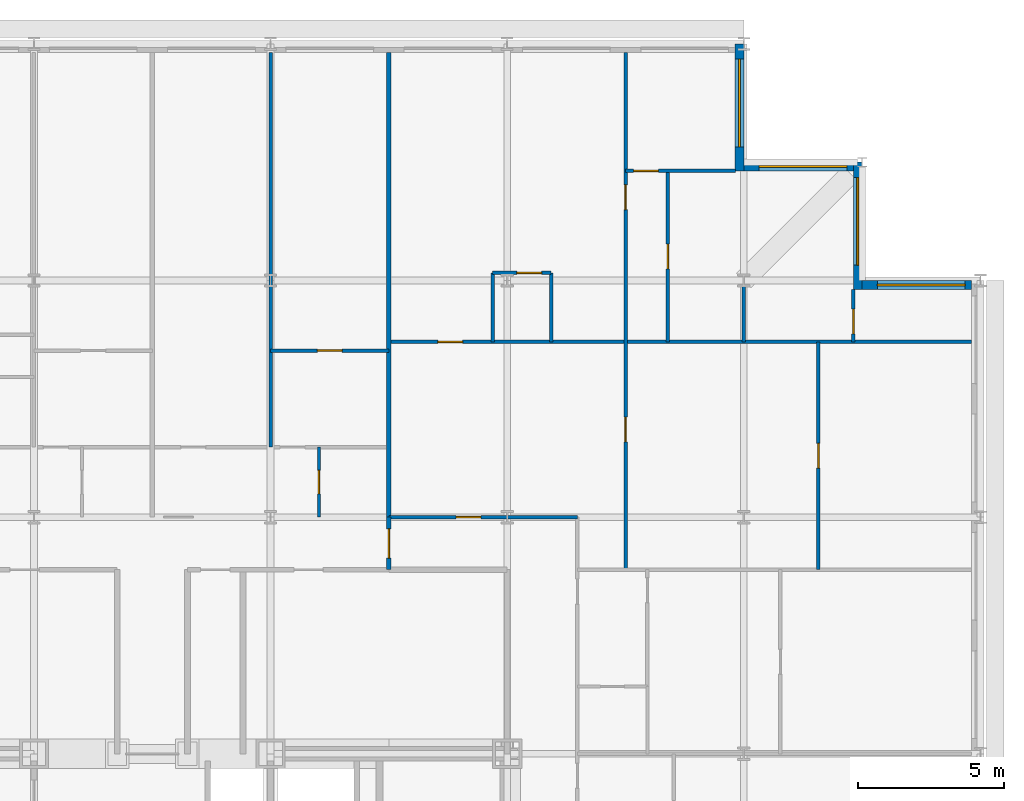
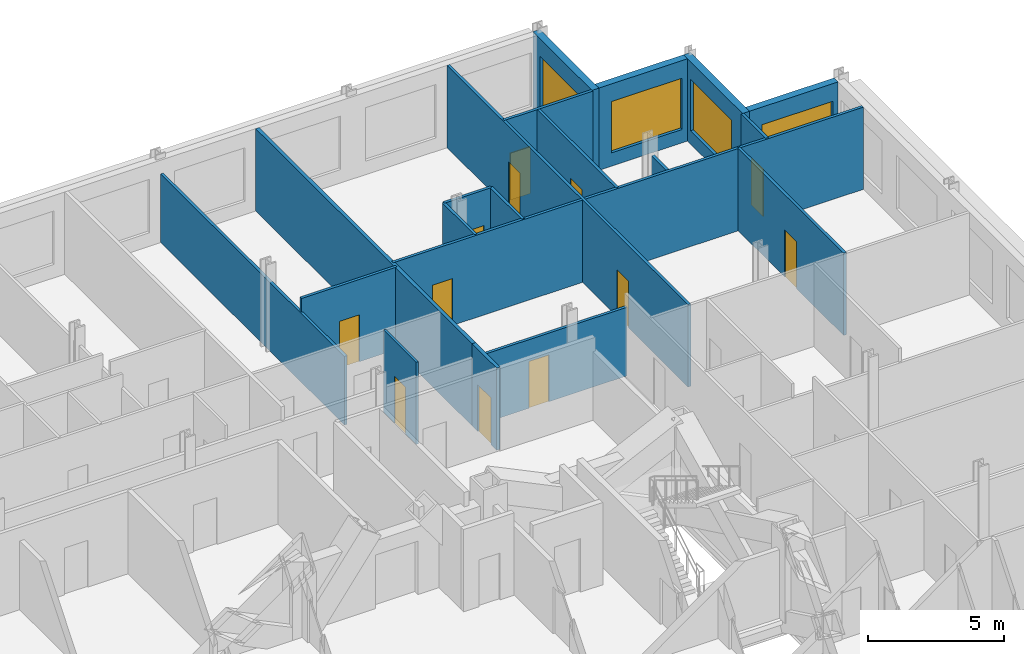
# One storey, part 14 of 16: 20 walls, 12 doors, 4 windows, 16 openings.
"""IFC4 building model written with IfcOpenShell, lengths in metres."""

from ifc_helpers import new_model, si_unit, direction, frame, frame_2d, origin, place, context, subcontext, project, spatial, rectangle, extrude, material, layer, layer_set, type_object, element, fill, save


model = new_model("IFC4")

# Units and contexts
model_context = context("Model", 3, precision=1e-05, world=origin(), true_north=direction((0.0, 1.0)))
body_context = subcontext(model_context, "Body", "Model", "MODEL_VIEW")
ifc_project = project(units=[si_unit("LENGTHUNIT", "METRE"), si_unit("AREAUNIT", "SQUARE_METRE"), si_unit("VOLUMEUNIT", "CUBIC_METRE"), si_unit("PLANEANGLEUNIT", "RADIAN"), si_unit("MASSUNIT", "GRAM", prefix="KILO")], contexts=[model_context])

# Site, building, storey
site_placement = place(None, origin())
site = spatial("IfcSite", under=ifc_project, at=site_placement, CompositionType="ELEMENT")
building_placement = place(site_placement, origin())
building = spatial("IfcBuilding", under=site, at=building_placement, Name="Kopane Lantern Tower", CompositionType="ELEMENT")
storey_placement = place(building_placement, frame((0.0, 0.0, 265.800048828125)))
storey = spatial("IfcBuildingStorey", under=building, at=storey_placement, Name="L68", CompositionType="ELEMENT", Elevation=265.800048828125)

# Wall
ifc_material_1 = material(Name="Gypsum board on steel studs", Category="steel")
ifc_layer_1 = layer(ifc_material_1, 0.1201171875)
ifc_layer_set_1 = layer_set([ifc_layer_1], Name="APARTMENT INTERNAL WALL 120")
wall_type_1 = type_object("IfcWallType", Name="APARTMENT INTERNAL WALL 120", PredefinedType="PARTITIONING", material=ifc_layer_set_1)
wall_1_placement = place(storey_placement, frame((32.39990234375, 51.0, 0.0), z_axis=(0.0, 0.0, 1.0), x_axis=(0.0, 1.0, 0.0)))
element("IfcWall", 1, at=wall_1_placement, inside=storey, type_object=wall_type_1, Name="Apartment Internal Wall 120 L68", PredefinedType="PARTITIONING", context=body_context, shape_type="SweptSolid", body=[
    extrude(rectangle(XDim=13.5, YDim=0.1201171875, at=frame_2d((6.75, 0.0))), origin(), (0.0, 0.0, 1.0), 3.07763671875),
])

# Wall, opening, door
wall_2_placement = place(storey_placement, frame((36.449951171875, 48.60009765625, 0.0), z_axis=(0.0, 0.0, 1.0), x_axis=(1.0, 0.0, 0.0)))
wall_2 = element("IfcWall", 2, at=wall_2_placement, inside=storey, type_object=wall_type_1, Name="Apartment Internal Wall 120 L68", PredefinedType="PARTITIONING", context=body_context, shape_type="SweptSolid", body=[
    extrude(rectangle(XDim=6.449951171875, YDim=0.1201171875, at=frame_2d((3.22509765625, 0.0))), origin(), (0.0, 0.0, 1.0), 3.07763671875),
])
opening_1_placement = place(wall_2_placement, frame((2.300048828125, 0.0, 0.0)))
opening_1 = element("IfcOpeningElement", 3, at=opening_1_placement, cuts=wall_2, Name="Opening L68-057", PredefinedType="OPENING", context=body_context, shape_type="SweptSolid", body=[
    extrude(rectangle(XDim=0.85009765625, YDim=2.10009765625, at=frame_2d((0.425048828125, 1.050048828125))), frame((0.0, 0.070068359375, 0.0), z_axis=(0.0, -1.0, 0.0), x_axis=(1.0, 0.0, 0.0)), (0.0, 0.0, 1.0), 0.14013671875),
])
ifc_material_2 = material(Name="Timber door set", Category="wood")
door_type_1 = type_object("IfcDoorType", Name="DOOR D4 850x2100", OperationType="SINGLE_SWING_LEFT", PredefinedType="DOOR", material=ifc_material_2)
door_1_placement = place(opening_1_placement, origin())
door_1 = element("IfcDoor", 4, at=door_1_placement, inside=storey, type_object=door_type_1, Name="Door L68-057", OperationType="SINGLE_SWING_LEFT", OverallHeight=2.10009765625, OverallWidth=0.85009765625, PredefinedType="DOOR", context=body_context, shape_type="SweptSolid", body=[
    extrude(rectangle(XDim=0.85009765625, YDim=2.10009765625, at=frame_2d((0.425048828125, 1.050048828125))), frame((0.0, 0.02490234375, 0.0), z_axis=(0.0, -1.0, 0.0), x_axis=(1.0, 0.0, 0.0)), (0.0, 0.0, 1.0), 0.050048828125),
])
fill(opening_1, door_1)

wall_3_placement = place(storey_placement, frame((36.449951171875, 54.60009765625, 0.0), z_axis=(0.0, 0.0, 1.0), x_axis=(1.0, 0.0, 0.0)))
wall_3 = element("IfcWall", 5, at=wall_3_placement, inside=storey, type_object=wall_type_1, Name="Apartment Internal Wall 120 L68", PredefinedType="PARTITIONING", context=body_context, shape_type="SweptSolid", body=[
    extrude(rectangle(XDim=19.949951171875, YDim=0.1201171875, at=frame_2d((9.97509765625, 0.0))), origin(), (0.0, 0.0, 1.0), 3.68994140625),
])
opening_2_placement = place(wall_3_placement, frame((1.675048828125, 0.0, 0.0)))
opening_2 = element("IfcOpeningElement", 6, at=opening_2_placement, cuts=wall_3, Name="Opening L68-058", PredefinedType="OPENING", context=body_context, shape_type="SweptSolid", body=[
    extrude(rectangle(XDim=0.85009765625, YDim=2.10009765625, at=frame_2d((0.425048828125, 1.050048828125))), frame((0.0, 0.070068359375, 0.0), z_axis=(0.0, -1.0, 0.0), x_axis=(1.0, 0.0, 0.0)), (0.0, 0.0, 1.0), 0.14013671875),
])
door_2_placement = place(opening_2_placement, origin())
door_2 = element("IfcDoor", 7, at=door_2_placement, inside=storey, type_object=door_type_1, Name="Door L68-058", OperationType="SINGLE_SWING_LEFT", OverallHeight=2.10009765625, OverallWidth=0.85009765625, PredefinedType="DOOR", context=body_context, shape_type="SweptSolid", body=[
    extrude(rectangle(XDim=0.85009765625, YDim=2.10009765625, at=frame_2d((0.425048828125, 1.050048828125))), frame((0.0, 0.02490234375, 0.0), z_axis=(0.0, -1.0, 0.0), x_axis=(1.0, 0.0, 0.0)), (0.0, 0.0, 1.0), 0.050048828125),
])
fill(opening_2, door_2)

# Wall, openings, doors
wall_4_placement = place(storey_placement, frame((44.550048828125, 64.5, 0.0), z_axis=(0.0, 0.0, 1.0), x_axis=(0.0, -1.0, 0.0)))
wall_4 = element("IfcWall", 8, at=wall_4_placement, inside=storey, type_object=wall_type_1, Name="Apartment Internal Wall 120 L68", PredefinedType="PARTITIONING", context=body_context, shape_type="SweptSolid", body=[
    extrude(rectangle(XDim=17.699951171875, YDim=0.1201171875, at=frame_2d((8.85009765625, 0.0))), origin(), (0.0, 0.0, 1.0), 3.68994140625),
])
opening_3_placement = place(wall_4_placement, frame((12.47509765625, 0.0, 0.0)))
opening_3 = element("IfcOpeningElement", 9, at=opening_3_placement, cuts=wall_4, Name="Opening L68-059", PredefinedType="OPENING", context=body_context, shape_type="SweptSolid", body=[
    extrude(rectangle(XDim=0.85009765625, YDim=2.10009765625, at=frame_2d((0.425048828125, 1.050048828125))), frame((0.0, 0.070068359375, 0.0), z_axis=(0.0, -1.0, 0.0), x_axis=(1.0, 0.0, 0.0)), (0.0, 0.0, 1.0), 0.14013671875),
])
opening_4_placement = place(wall_4_placement, frame((4.52490234375, 0.0, 0.0)))
opening_4 = element("IfcOpeningElement", 10, at=opening_4_placement, cuts=wall_4, Name="Opening L68-060", PredefinedType="OPENING", context=body_context, shape_type="SweptSolid", body=[
    extrude(rectangle(XDim=0.85009765625, YDim=2.10009765625, at=frame_2d((0.425048828125, 1.050048828125))), frame((0.0, 0.070068359375, 0.0), z_axis=(0.0, -1.0, 0.0), x_axis=(1.0, 0.0, 0.0)), (0.0, 0.0, 1.0), 0.14013671875),
])
door_3_placement = place(opening_3_placement, origin())
door_3 = element("IfcDoor", 11, at=door_3_placement, inside=storey, type_object=door_type_1, Name="Door L68-059", OperationType="SINGLE_SWING_LEFT", OverallHeight=2.10009765625, OverallWidth=0.85009765625, PredefinedType="DOOR", context=body_context, shape_type="SweptSolid", body=[
    extrude(rectangle(XDim=0.85009765625, YDim=2.10009765625, at=frame_2d((0.425048828125, 1.050048828125))), frame((0.0, 0.02490234375, 0.0), z_axis=(0.0, -1.0, 0.0), x_axis=(1.0, 0.0, 0.0)), (0.0, 0.0, 1.0), 0.050048828125),
])
fill(opening_3, door_3)
door_4_placement = place(opening_4_placement, origin())
door_4 = element("IfcDoor", 12, at=door_4_placement, inside=storey, type_object=door_type_1, Name="Door L68-060", OperationType="SINGLE_SWING_LEFT", OverallHeight=2.10009765625, OverallWidth=0.85009765625, PredefinedType="DOOR", context=body_context, shape_type="SweptSolid", body=[
    extrude(rectangle(XDim=0.85009765625, YDim=2.10009765625, at=frame_2d((0.425048828125, 1.050048828125))), frame((0.0, 0.02490234375, 0.0), z_axis=(0.0, -1.0, 0.0), x_axis=(1.0, 0.0, 0.0)), (0.0, 0.0, 1.0), 0.050048828125),
])
fill(opening_4, door_4)

# Wall, opening, door
wall_5_placement = place(storey_placement, frame((52.35009765625, 54.60009765625, 0.0), z_axis=(0.0, 0.0, 1.0), x_axis=(0.0, 1.0, 0.0)))
wall_5 = element("IfcWall", 13, at=wall_5_placement, inside=storey, type_object=wall_type_1, Name="Apartment Internal Wall 120 L68", PredefinedType="PARTITIONING", context=body_context, shape_type="SweptSolid", body=[
    extrude(rectangle(XDim=1.7998046875, YDim=0.1201171875, at=frame_2d((0.89990234375, 0.0))), origin(), (0.0, 0.0, 1.0), 3.68994140625),
])
opening_5_placement = place(wall_5_placement, frame((0.27490234375, 0.0, 0.0)))
opening_5 = element("IfcOpeningElement", 14, at=opening_5_placement, cuts=wall_5, Name="Opening L68-068", PredefinedType="OPENING", context=body_context, shape_type="SweptSolid", body=[
    extrude(rectangle(XDim=0.85009765625, YDim=2.10009765625, at=frame_2d((0.425048828125, 1.050048828125))), frame((0.0, 0.070068359375, 0.0), z_axis=(0.0, -1.0, 0.0), x_axis=(1.0, 0.0, 0.0)), (0.0, 0.0, 1.0), 0.14013671875),
])
door_5_placement = place(opening_5_placement, origin())
door_5 = element("IfcDoor", 15, at=door_5_placement, inside=storey, type_object=door_type_1, Name="Door L68-068", OperationType="SINGLE_SWING_RIGHT", OverallHeight=2.10009765625, OverallWidth=0.85009765625, PredefinedType="DOOR", context=body_context, shape_type="SweptSolid", body=[
    extrude(rectangle(XDim=0.85009765625, YDim=2.10009765625, at=frame_2d((0.425048828125, 1.050048828125))), frame((0.0, 0.02490234375, 0.0), z_axis=(0.0, -1.0, 0.0), x_axis=(1.0, 0.0, 0.0)), (0.0, 0.0, 1.0), 0.050048828125),
])
fill(opening_5, door_5)

wall_6_placement = place(storey_placement, frame((48.31005859375, 60.449951171875, 0.0), z_axis=(0.0, 0.0, 1.0), x_axis=(-1.0, 0.0, 0.0)))
wall_6 = element("IfcWall", 16, at=wall_6_placement, inside=storey, type_object=wall_type_1, Name="Apartment Internal Wall 120 L68", PredefinedType="PARTITIONING", context=body_context, shape_type="SweptSolid", body=[
    extrude(rectangle(XDim=3.760009765625, YDim=0.1201171875, at=frame_2d((1.8798828125, 0.0))), origin(), (0.0, 0.0, 1.0), 3.68994140625),
])
opening_6_placement = place(wall_6_placement, frame((2.635009765625, 0.0, 0.0)))
opening_6 = element("IfcOpeningElement", 17, at=opening_6_placement, cuts=wall_6, Name="Opening L68-069", PredefinedType="OPENING", context=body_context, shape_type="SweptSolid", body=[
    extrude(rectangle(XDim=0.85009765625, YDim=2.10009765625, at=frame_2d((0.425048828125, 1.050048828125))), frame((0.0, 0.070068359375, 0.0), z_axis=(0.0, -1.0, 0.0), x_axis=(1.0, 0.0, 0.0)), (0.0, 0.0, 1.0), 0.14013671875),
])
door_6_placement = place(opening_6_placement, origin())
door_6 = element("IfcDoor", 18, at=door_6_placement, inside=storey, type_object=door_type_1, Name="Door L68-069", OperationType="SINGLE_SWING_LEFT", OverallHeight=2.10009765625, OverallWidth=0.85009765625, PredefinedType="DOOR", context=body_context, shape_type="SweptSolid", body=[
    extrude(rectangle(XDim=0.85009765625, YDim=2.10009765625, at=frame_2d((0.425048828125, 1.050048828125))), frame((0.0, 0.02490234375, 0.0), z_axis=(0.0, -1.0, 0.0), x_axis=(1.0, 0.0, 0.0)), (0.0, 0.0, 1.0), 0.050048828125),
])
fill(opening_6, door_6)

wall_7_placement = place(storey_placement, frame((32.39990234375, 54.300048828125, 0.0), z_axis=(0.0, 0.0, 1.0), x_axis=(1.0, 0.0, 0.0)))
wall_7 = element("IfcWall", 19, at=wall_7_placement, inside=storey, type_object=wall_type_1, Name="Apartment Internal Wall 120 L68", PredefinedType="PARTITIONING", context=body_context, shape_type="SweptSolid", body=[
    extrude(rectangle(XDim=4.050048828125, YDim=0.1201171875, at=frame_2d((2.02490234375, 0.0))), origin(), (0.0, 0.0, 1.0), 3.68994140625),
])
opening_7_placement = place(wall_7_placement, frame((1.60009765625, 0.0, 0.0)))
opening_7 = element("IfcOpeningElement", 20, at=opening_7_placement, cuts=wall_7, Name="Opening L68-074", PredefinedType="OPENING", context=body_context, shape_type="SweptSolid", body=[
    extrude(rectangle(XDim=0.85009765625, YDim=2.10009765625, at=frame_2d((0.425048828125, 1.050048828125))), frame((0.0, 0.070068359375, 0.0), z_axis=(0.0, -1.0, 0.0), x_axis=(1.0, 0.0, 0.0)), (0.0, 0.0, 1.0), 0.14013671875),
])
door_7_placement = place(opening_7_placement, origin())
door_7 = element("IfcDoor", 21, at=door_7_placement, inside=storey, type_object=door_type_1, Name="Door L68-074", OperationType="SINGLE_SWING_RIGHT", OverallHeight=2.10009765625, OverallWidth=0.85009765625, PredefinedType="DOOR", context=body_context, shape_type="SweptSolid", body=[
    extrude(rectangle(XDim=0.85009765625, YDim=2.10009765625, at=frame_2d((0.425048828125, 1.050048828125))), frame((0.0, 0.02490234375, 0.0), z_axis=(0.0, -1.0, 0.0), x_axis=(1.0, 0.0, 0.0)), (0.0, 0.0, 1.0), 0.050048828125),
])
fill(opening_7, door_7)

wall_8_placement = place(storey_placement, frame((51.14990234375, 46.800048828125, 0.0), z_axis=(0.0, 0.0, 1.0), x_axis=(0.0, 1.0, 0.0)))
wall_8 = element("IfcWall", 22, at=wall_8_placement, inside=storey, type_object=wall_type_1, Name="Apartment Internal Wall 120 L68", PredefinedType="PARTITIONING", context=body_context, shape_type="SweptSolid", body=[
    extrude(rectangle(XDim=7.800048828125, YDim=0.1201171875, at=frame_2d((3.89990234375, 0.0))), origin(), (0.0, 0.0, 1.0), 3.68994140625),
])
opening_8_placement = place(wall_8_placement, frame((3.47509765625, 0.0, 0.0)))
opening_8 = element("IfcOpeningElement", 23, at=opening_8_placement, cuts=wall_8, Name="Opening L68-079", PredefinedType="OPENING", context=body_context, shape_type="SweptSolid", body=[
    extrude(rectangle(XDim=0.85009765625, YDim=2.10009765625, at=frame_2d((0.425048828125, 1.050048828125))), frame((0.0, 0.070068359375, 0.0), z_axis=(0.0, -1.0, 0.0), x_axis=(1.0, 0.0, 0.0)), (0.0, 0.0, 1.0), 0.14013671875),
])
door_8_placement = place(opening_8_placement, origin())
door_8 = element("IfcDoor", 24, at=door_8_placement, inside=storey, type_object=door_type_1, Name="Door L68-079", OperationType="SINGLE_SWING_RIGHT", OverallHeight=2.10009765625, OverallWidth=0.85009765625, PredefinedType="DOOR", context=body_context, shape_type="SweptSolid", body=[
    extrude(rectangle(XDim=0.85009765625, YDim=2.10009765625, at=frame_2d((0.425048828125, 1.050048828125))), frame((0.0, 0.02490234375, 0.0), z_axis=(0.0, -1.0, 0.0), x_axis=(1.0, 0.0, 0.0)), (0.0, 0.0, 1.0), 0.050048828125),
])
fill(opening_8, door_8)

wall_9_placement = place(storey_placement, frame((46.0, 54.60009765625, 0.0), z_axis=(0.0, 0.0, 1.0), x_axis=(0.0, 1.0, 0.0)))
wall_9 = element("IfcWall", 25, at=wall_9_placement, inside=storey, type_object=wall_type_1, Name="Apartment Internal Wall 120 L68", PredefinedType="PARTITIONING", context=body_context, shape_type="SweptSolid", body=[
    extrude(rectangle(XDim=5.849853515625, YDim=0.1201171875, at=frame_2d((2.9248046875, 0.0))), origin(), (0.0, 0.0, 1.0), 3.68994140625),
])
opening_9_placement = place(wall_9_placement, frame((2.5, 0.0, 0.0)))
opening_9 = element("IfcOpeningElement", 26, at=opening_9_placement, cuts=wall_9, Name="Opening L68-080", PredefinedType="OPENING", context=body_context, shape_type="SweptSolid", body=[
    extrude(rectangle(XDim=0.85009765625, YDim=2.10009765625, at=frame_2d((0.425048828125, 1.050048828125))), frame((0.0, 0.070068359375, 0.0), z_axis=(0.0, -1.0, 0.0), x_axis=(1.0, 0.0, 0.0)), (0.0, 0.0, 1.0), 0.14013671875),
])
door_9_placement = place(opening_9_placement, origin())
door_9 = element("IfcDoor", 27, at=door_9_placement, inside=storey, type_object=door_type_1, Name="Door L68-080", OperationType="SINGLE_SWING_LEFT", OverallHeight=2.10009765625, OverallWidth=0.85009765625, PredefinedType="DOOR", context=body_context, shape_type="SweptSolid", body=[
    extrude(rectangle(XDim=0.85009765625, YDim=2.10009765625, at=frame_2d((0.425048828125, 1.050048828125))), frame((0.0, 0.02490234375, 0.0), z_axis=(0.0, -1.0, 0.0), x_axis=(1.0, 0.0, 0.0)), (0.0, 0.0, 1.0), 0.050048828125),
])
fill(opening_9, door_9)

# Walls
for number, where, z_axis, x_axis, name in (
    (28, (39.9970703125, 54.60009765625, 0.0), (0.0, 0.0, 1.0), (0.0, 1.0, 0.0), "Apartment Internal Wall 120 L68"),
    (29, (42.0029296875, 54.60009765625, 0.0), (0.0, 0.0, 1.0), (0.0, 1.0, 0.0), "Apartment Internal Wall 120 L68"),
):
    element("IfcWall", number, at=place(storey_placement, frame(where, z_axis=z_axis, x_axis=x_axis)), inside=storey, type_object=wall_type_1, Name=name, PredefinedType="PARTITIONING", context=body_context, shape_type="SweptSolid", body=[
        extrude(rectangle(XDim=2.36279296875, YDim=0.1201171875, at=frame_2d((1.181396484375, 0.0))), origin(), (0.0, 0.0, 1.0), 3.68994140625),
    ])

# Wall, opening, door
wall_10_placement = place(storey_placement, frame((39.9970703125, 56.962890625, 0.0), z_axis=(0.0, 0.0, 1.0), x_axis=(1.0, 0.0, 0.0)))
wall_10 = element("IfcWall", 30, at=wall_10_placement, inside=storey, type_object=wall_type_1, Name="Apartment Internal Wall 120 L68", PredefinedType="PARTITIONING", context=body_context, shape_type="SweptSolid", body=[
    extrude(rectangle(XDim=2.005859375, YDim=0.1201171875, at=frame_2d((1.0029296875, 0.0))), origin(), (0.0, 0.0, 1.0), 3.68994140625),
])
opening_10_placement = place(wall_10_placement, frame((0.8310546875, 0.0, 0.0)))
opening_10 = element("IfcOpeningElement", 31, at=opening_10_placement, cuts=wall_10, Name="Opening L68-085", PredefinedType="OPENING", context=body_context, shape_type="SweptSolid", body=[
    extrude(rectangle(XDim=0.85009765625, YDim=2.10009765625, at=frame_2d((0.425048828125, 1.050048828125))), frame((0.0, 0.070068359375, 0.0), z_axis=(0.0, -1.0, 0.0), x_axis=(1.0, 0.0, 0.0)), (0.0, 0.0, 1.0), 0.14013671875),
])
door_10_placement = place(opening_10_placement, origin())
door_10 = element("IfcDoor", 32, at=door_10_placement, inside=storey, type_object=door_type_1, Name="Door L68-085", OperationType="SINGLE_SWING_LEFT", OverallHeight=2.10009765625, OverallWidth=0.85009765625, PredefinedType="DOOR", context=body_context, shape_type="SweptSolid", body=[
    extrude(rectangle(XDim=0.85009765625, YDim=2.10009765625, at=frame_2d((0.425048828125, 1.050048828125))), frame((0.0, 0.02490234375, 0.0), z_axis=(0.0, -1.0, 0.0), x_axis=(1.0, 0.0, 0.0)), (0.0, 0.0, 1.0), 0.050048828125),
])
fill(opening_10, door_10)

# Wall
wall_11_placement = place(storey_placement, frame((48.60009765625, 54.60009765625, 0.0), z_axis=(0.0, 0.0, 1.0), x_axis=(0.0, 1.0, 0.0)))
element("IfcWall", 33, at=wall_11_placement, inside=storey, type_object=wall_type_1, Name="Apartment Internal Wall 120 L68", PredefinedType="PARTITIONING", context=body_context, shape_type="SweptSolid", body=[
    extrude(rectangle(XDim=1.89697265625, YDim=0.1201171875, at=frame_2d((0.948486328125, 0.0))), origin(), (0.0, 0.0, 1.0), 3.07763671875),
])

# Wall, opening, door
ifc_material_3 = material(Name="Moisture-resistant board on steel studs", Category="steel")
ifc_layer_2 = layer(ifc_material_3, 0.10009765625)
ifc_layer_set_2 = layer_set([ifc_layer_2], Name="BATHROOM WALL 100")
wall_type_2 = type_object("IfcWallType", Name="BATHROOM WALL 100", PredefinedType="PARTITIONING", material=ifc_layer_set_2)
wall_12_placement = place(storey_placement, frame((34.050048828125, 48.60009765625, 0.0), z_axis=(0.0, 0.0, 1.0), x_axis=(0.0, 1.0, 0.0)))
wall_12 = element("IfcWall", 34, at=wall_12_placement, inside=storey, type_object=wall_type_2, Name="Bathroom Wall 100 L68", PredefinedType="PARTITIONING", context=body_context, shape_type="SweptSolid", body=[
    extrude(rectangle(XDim=2.39990234375, YDim=0.10009765625, at=frame_2d((1.199951171875, 0.0))), origin(), (0.0, 0.0, 1.0), 3.68994140625),
])
opening_11_placement = place(wall_12_placement, frame((0.800048828125, 0.0, 0.0)))
opening_11 = element("IfcOpeningElement", 35, at=opening_11_placement, cuts=wall_12, Name="Opening L68-027", PredefinedType="OPENING", context=body_context, shape_type="SweptSolid", body=[
    extrude(rectangle(XDim=0.800048828125, YDim=2.10009765625, at=frame_2d((0.39990234375, 1.050048828125))), frame((0.0, 0.06005859375, 0.0), z_axis=(0.0, -1.0, 0.0), x_axis=(1.0, 0.0, 0.0)), (0.0, 0.0, 1.0), 0.1201171875),
])
ifc_material_4 = material(Name="Timber door set", Category="wood")
door_type_2 = type_object("IfcDoorType", Name="DOOR D2 800x2100", OperationType="SINGLE_SWING_LEFT", PredefinedType="DOOR", material=ifc_material_4)
door_11_placement = place(opening_11_placement, origin())
door_11 = element("IfcDoor", 36, at=door_11_placement, inside=storey, type_object=door_type_2, Name="Door L68-027", OperationType="SINGLE_SWING_RIGHT", OverallHeight=2.10009765625, OverallWidth=0.800048828125, PredefinedType="DOOR", context=body_context, shape_type="SweptSolid", body=[
    extrude(rectangle(XDim=0.800048828125, YDim=2.10009765625, at=frame_2d((0.39990234375, 1.050048828125))), frame((0.0, 0.02490234375, 0.0), z_axis=(0.0, -1.0, 0.0), x_axis=(1.0, 0.0, 0.0)), (0.0, 0.0, 1.0), 0.050048828125),
])
fill(opening_11, door_11)

ifc_material_5 = material(Name="Gypsum board on steel studs", Category="steel")
ifc_layer_3 = layer(ifc_material_5, 0.14990234375)
ifc_layer_set_3 = layer_set([ifc_layer_3], Name="CORRIDOR WALL 150 EI 60")
wall_type_3 = type_object("IfcWallType", Name="CORRIDOR WALL 150 EI 60", PredefinedType="PARTITIONING", material=ifc_layer_set_3)
wall_13_placement = place(storey_placement, frame((36.449951171875, 46.800048828125, 0.0), z_axis=(0.0, 0.0, 1.0), x_axis=(0.0, 1.0, 0.0)))
wall_13 = element("IfcWall", 37, at=wall_13_placement, inside=storey, type_object=wall_type_3, Name="Corridor Wall 150 Ei 60 L68", PredefinedType="PARTITIONING", context=body_context, shape_type="SweptSolid", body=[
    extrude(rectangle(XDim=1.800048828125, YDim=0.14990234375, at=frame_2d((0.89990234375, 0.0))), origin(), (0.0, 0.0, 1.0), 3.68994140625),
])
opening_12_placement = place(wall_13_placement, frame((0.39990234375, 0.0, 0.0)))
opening_12 = element("IfcOpeningElement", 38, at=opening_12_placement, cuts=wall_13, Name="Opening L68-055", PredefinedType="OPENING", context=body_context, shape_type="SweptSolid", body=[
    extrude(rectangle(XDim=1.0, YDim=2.10009765625, at=frame_2d((0.5, 1.050048828125))), frame((0.0, 0.0849609375, 0.0), z_axis=(0.0, -1.0, 0.0), x_axis=(1.0, 0.0, 0.0)), (0.0, 0.0, 1.0), 0.169921875),
])
ifc_material_6 = material(Name="Steel door set", Category="steel")
door_type_3 = type_object("IfcDoorType", Name="DOOR D3 1000x2100 FD30S", OperationType="SINGLE_SWING_LEFT", PredefinedType="DOOR", material=ifc_material_6)
door_12_placement = place(opening_12_placement, origin())
door_12 = element("IfcDoor", 39, at=door_12_placement, inside=storey, type_object=door_type_3, Name="Door L68-055", OperationType="SINGLE_SWING_RIGHT", OverallHeight=2.10009765625, OverallWidth=1.0, PredefinedType="DOOR", context=body_context, shape_type="SweptSolid", body=[
    extrude(rectangle(XDim=1.0, YDim=2.10009765625, at=frame_2d((0.5, 1.050048828125))), frame((0.0, 0.02490234375, 0.0), z_axis=(0.0, -1.0, 0.0), x_axis=(1.0, 0.0, 0.0)), (0.0, 0.0, 1.0), 0.050048828125),
])
fill(opening_12, door_12)

# Wall
ifc_material_7 = material(Name="Gypsum board on steel studs", Category="steel")
ifc_layer_4 = layer(ifc_material_7, 0.14990234375)
ifc_layer_set_4 = layer_set([ifc_layer_4], Name="DEMISING WALL 150 EI 60")
wall_type_4 = type_object("IfcWallType", Name="DEMISING WALL 150 EI 60", PredefinedType="PARTITIONING", material=ifc_layer_set_4)
wall_14_placement = place(storey_placement, frame((36.449951171875, 64.5, 0.0), z_axis=(0.0, 0.0, 1.0), x_axis=(0.0, -1.0, 0.0)))
element("IfcWall", 40, at=wall_14_placement, inside=storey, type_object=wall_type_4, Name="Demising Wall 150 Ei 60 L68", PredefinedType="PARTITIONING", context=body_context, shape_type="SweptSolid", body=[
    extrude(rectangle(XDim=15.89990234375, YDim=0.14990234375, at=frame_2d((7.949951171875, 0.0))), origin(), (0.0, 0.0, 1.0), 3.68994140625),
])

# Wall, opening, window
ifc_material_8 = material(Name="Terracotta rainscreen on light steel framing", Category="masonry")
ifc_layer_5 = layer(ifc_material_8, 0.300048828125)
ifc_layer_set_5 = layer_set([ifc_layer_5], Name="EXTERNAL WALL EW1 300 TERRACOTTA")
wall_type_5 = type_object("IfcWallType", Name="EXTERNAL WALL EW1 300 TERRACOTTA", PredefinedType="SOLIDWALL", material=ifc_layer_set_5)
wall_15_placement = place(storey_placement, frame((56.39990234375, 56.550048828125, 0.0), z_axis=(0.0, 0.0, 1.0), x_axis=(-1.0, 0.0, 0.0)))
wall_15 = element("IfcWall", 41, at=wall_15_placement, inside=storey, type_object=wall_type_5, Name="External wall N L68", PredefinedType="SOLIDWALL", context=body_context, shape_type="SweptSolid", body=[
    extrude(rectangle(XDim=3.75, YDim=0.300048828125, at=frame_2d((1.875, 0.0))), origin(), (0.0, 0.0, 1.0), 3.68994140625),
])
opening_13_placement = place(wall_15_placement, frame((0.22509765625, 0.0, 0.60009765625)))
opening_13 = element("IfcOpeningElement", 42, at=opening_13_placement, cuts=wall_15, Name="Opening WR300230", PredefinedType="OPENING", context=body_context, shape_type="SweptSolid", body=[
    extrude(rectangle(XDim=3.0, YDim=2.300048828125, at=frame_2d((1.5, 1.14990234375))), frame((0.0, 0.159912109375, 0.0), z_axis=(0.0, -1.0, 0.0), x_axis=(1.0, 0.0, 0.0)), (0.0, 0.0, 1.0), 0.320068359375),
])
ifc_material_9 = material(Name="Aluminium and clear glass", Category="aluminium")
window_type = type_object("IfcWindowType", Name="RIBBON WINDOW WR300230 3000x2300", PartitioningType="SINGLE_PANEL", PredefinedType="WINDOW", material=ifc_material_9)
window_1_placement = place(opening_13_placement, origin())
window_1 = element("IfcWindow", 43, at=window_1_placement, inside=storey, type_object=window_type, Name="Window N L68", OverallHeight=2.300048828125, OverallWidth=3.0, PartitioningType="SINGLE_PANEL", PredefinedType="WINDOW", context=body_context, shape_type="SweptSolid", body=[
    extrude(rectangle(XDim=3.0, YDim=2.300048828125, at=frame_2d((1.5, 1.14990234375))), frame((0.0, 0.030029296875, 0.0), z_axis=(0.0, -1.0, 0.0), x_axis=(1.0, 0.0, 0.0)), (0.0, 0.0, 1.0), 0.06005859375),
])
fill(opening_13, window_1)

wall_16_placement = place(storey_placement, frame((52.5, 56.39990234375, 0.0), z_axis=(0.0, 0.0, 1.0), x_axis=(0.0, 1.0, 0.0)))
wall_16 = element("IfcWall", 44, at=wall_16_placement, inside=storey, type_object=wall_type_5, Name="External wall E L68", PredefinedType="SOLIDWALL", context=body_context, shape_type="SweptSolid", body=[
    extrude(rectangle(XDim=4.35009765625, YDim=0.300048828125, at=frame_2d((2.175048828125, 0.0))), origin(), (0.0, 0.0, 1.0), 3.68994140625),
])
opening_14_placement = place(wall_16_placement, frame((0.824951171875, 0.0, 0.60009765625)))
opening_14 = element("IfcOpeningElement", 45, at=opening_14_placement, cuts=wall_16, Name="Opening WR300230", PredefinedType="OPENING", context=body_context, shape_type="SweptSolid", body=[
    extrude(rectangle(XDim=3.0, YDim=2.300048828125, at=frame_2d((1.5, 1.14990234375))), frame((0.0, 0.159912109375, 0.0), z_axis=(0.0, -1.0, 0.0), x_axis=(1.0, 0.0, 0.0)), (0.0, 0.0, 1.0), 0.320068359375),
])
window_2_placement = place(opening_14_placement, origin())
window_2 = element("IfcWindow", 46, at=window_2_placement, inside=storey, type_object=window_type, Name="Window E L68", OverallHeight=2.300048828125, OverallWidth=3.0, PartitioningType="SINGLE_PANEL", PredefinedType="WINDOW", context=body_context, shape_type="SweptSolid", body=[
    extrude(rectangle(XDim=3.0, YDim=2.300048828125, at=frame_2d((1.5, 1.14990234375))), frame((0.0, 0.030029296875, 0.0), z_axis=(0.0, -1.0, 0.0), x_axis=(1.0, 0.0, 0.0)), (0.0, 0.0, 1.0), 0.06005859375),
])
fill(opening_14, window_2)

wall_17_placement = place(storey_placement, frame((52.35009765625, 60.60009765625, 0.0), z_axis=(0.0, 0.0, 1.0), x_axis=(-1.0, 0.0, 0.0)))
wall_17 = element("IfcWall", 47, at=wall_17_placement, inside=storey, type_object=wall_type_5, Name="External wall N L68", PredefinedType="SOLIDWALL", context=body_context, shape_type="SweptSolid", body=[
    extrude(rectangle(XDim=3.75, YDim=0.300048828125, at=frame_2d((1.875, 0.0))), origin(), (0.0, 0.0, 1.0), 3.68994140625),
])
opening_15_placement = place(wall_17_placement, frame((0.22509765625, 0.0, 0.60009765625)))
opening_15 = element("IfcOpeningElement", 48, at=opening_15_placement, cuts=wall_17, Name="Opening WR300230", PredefinedType="OPENING", context=body_context, shape_type="SweptSolid", body=[
    extrude(rectangle(XDim=3.0, YDim=2.300048828125, at=frame_2d((1.5, 1.14990234375))), frame((0.0, 0.159912109375, 0.0), z_axis=(0.0, -1.0, 0.0), x_axis=(1.0, 0.0, 0.0)), (0.0, 0.0, 1.0), 0.320068359375),
])
window_3_placement = place(opening_15_placement, origin())
window_3 = element("IfcWindow", 49, at=window_3_placement, inside=storey, type_object=window_type, Name="Window N L68", OverallHeight=2.300048828125, OverallWidth=3.0, PartitioningType="SINGLE_PANEL", PredefinedType="WINDOW", context=body_context, shape_type="SweptSolid", body=[
    extrude(rectangle(XDim=3.0, YDim=2.300048828125, at=frame_2d((1.5, 1.14990234375))), frame((0.0, 0.030029296875, 0.0), z_axis=(0.0, -1.0, 0.0), x_axis=(1.0, 0.0, 0.0)), (0.0, 0.0, 1.0), 0.06005859375),
])
fill(opening_15, window_3)

wall_18_placement = place(storey_placement, frame((48.449951171875, 60.449951171875, 0.0), z_axis=(0.0, 0.0, 1.0), x_axis=(0.0, 1.0, 0.0)))
wall_18 = element("IfcWall", 50, at=wall_18_placement, inside=storey, type_object=wall_type_5, Name="External wall E L68", PredefinedType="SOLIDWALL", context=body_context, shape_type="SweptSolid", body=[
    extrude(rectangle(XDim=4.35009765625, YDim=0.300048828125, at=frame_2d((2.175048828125, 0.0))), origin(), (0.0, 0.0, 1.0), 3.68994140625),
])
opening_16_placement = place(wall_18_placement, frame((0.824951171875, 0.0, 0.60009765625)))
opening_16 = element("IfcOpeningElement", 51, at=opening_16_placement, cuts=wall_18, Name="Opening WR300230", PredefinedType="OPENING", context=body_context, shape_type="SweptSolid", body=[
    extrude(rectangle(XDim=3.0, YDim=2.300048828125, at=frame_2d((1.5, 1.14990234375))), frame((0.0, 0.159912109375, 0.0), z_axis=(0.0, -1.0, 0.0), x_axis=(1.0, 0.0, 0.0)), (0.0, 0.0, 1.0), 0.320068359375),
])
window_4_placement = place(opening_16_placement, origin())
window_4 = element("IfcWindow", 52, at=window_4_placement, inside=storey, type_object=window_type, Name="Window E L68", OverallHeight=2.300048828125, OverallWidth=3.0, PartitioningType="SINGLE_PANEL", PredefinedType="WINDOW", context=body_context, shape_type="SweptSolid", body=[
    extrude(rectangle(XDim=3.0, YDim=2.300048828125, at=frame_2d((1.5, 1.14990234375))), frame((0.0, 0.030029296875, 0.0), z_axis=(0.0, -1.0, 0.0), x_axis=(1.0, 0.0, 0.0)), (0.0, 0.0, 1.0), 0.06005859375),
])
fill(opening_16, window_4)

save(model, "model.ifc")
